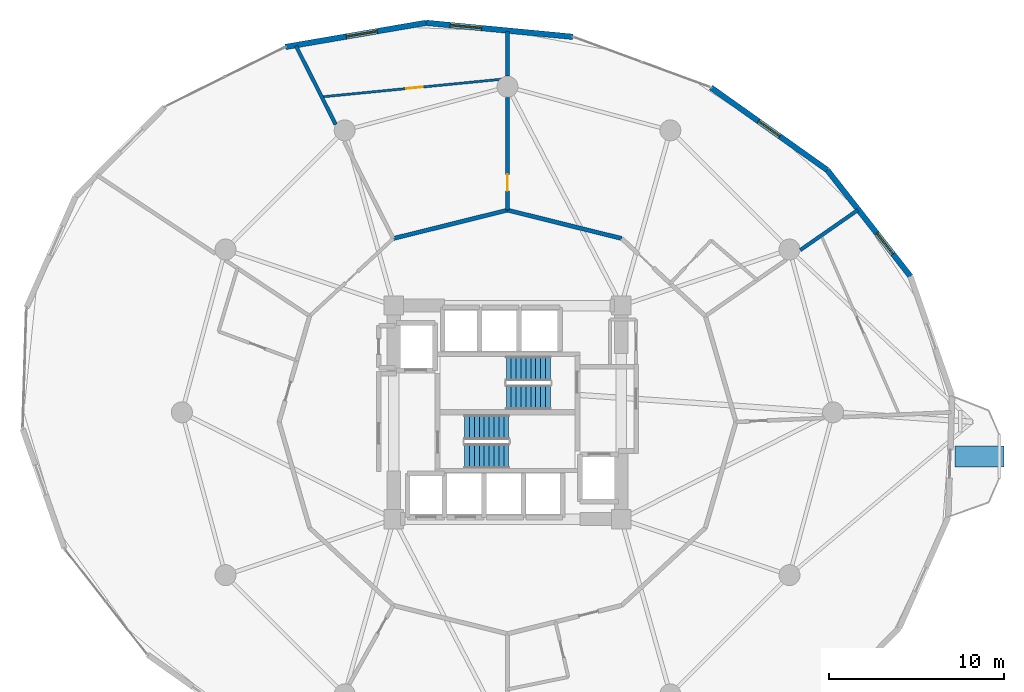
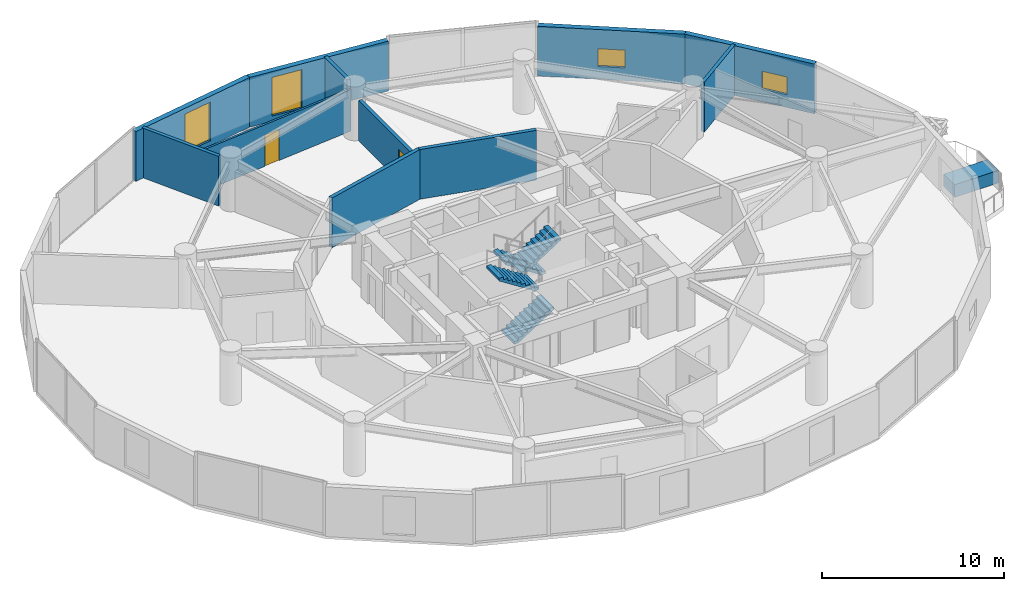
# One storey, part 19 of 22: 11 walls, 4 stair flights, 4 windows, 2 doors, 1 discrete accessory, 6 openings, 2 elements without a shape of their own.
"""IFC4 building model written with IfcOpenShell, lengths in metres."""

from ifc_helpers import new_model, si_unit, direction, frame, frame_2d, origin, origin_2d, place, context, subcontext, project, spatial, polyline, rectangle, outline, extrude, material, layer, layer_set, type_object, element, fill, aggregate, save


model = new_model("IFC4")

# Units and contexts
model_context = context("Model", 3, precision=1e-05, world=origin(), true_north=direction((0.0, 1.0)))
body_context = subcontext(model_context, "Body", "Model", "MODEL_VIEW")
ifc_project = project(units=[si_unit("LENGTHUNIT", "METRE"), si_unit("AREAUNIT", "SQUARE_METRE"), si_unit("VOLUMEUNIT", "CUBIC_METRE"), si_unit("PLANEANGLEUNIT", "RADIAN"), si_unit("MASSUNIT", "GRAM", prefix="KILO")], contexts=[model_context])

# Site, building, storey
site_placement = place(None, origin())
site = spatial("IfcSite", under=ifc_project, at=site_placement, CompositionType="ELEMENT")
building_placement = place(site_placement, origin())
building = spatial("IfcBuilding", under=site, at=building_placement, Name="Solvirekh Grand Hotel", CompositionType="ELEMENT")
storey_placement = place(building_placement, frame((0.0, 0.0, 53.60009765625)))
storey = spatial("IfcBuildingStorey", under=building, at=storey_placement, Name="L12", CompositionType="ELEMENT", Elevation=53.60009765625)

# Wall, opening, window
ifc_material_1 = material(Name="Precast concrete C45/55", Category="concrete")
ifc_layer_1 = layer(ifc_material_1, 0.320068359375)
ifc_layer_set_1 = layer_set([ifc_layer_1], Name="Precast concrete C45/55")
wall_type_1 = type_object("IfcWallType", Name="ExtLobbyWall_RC320", PredefinedType="SOLIDWALL", material=ifc_layer_set_1)
wall_1_placement = place(storey_placement, frame((18.26904296875, 13.840087890625, 0.0), z_axis=(0.0, 0.0, 1.0), x_axis=(0.616094649126, -0.787672129327, 0.0)))
wall_1 = element("IfcWall", 1, at=wall_1_placement, inside=storey, type_object=wall_type_1, Name="L12 cantilevered deck support wall chord 3", PredefinedType="SOLIDWALL", context=body_context, shape_type="SweptSolid", body=[
    extrude(rectangle(XDim=7.705078125, YDim=0.320068359375, at=frame_2d((3.8525390625, 0.0))), origin(), (0.0, 0.0, 1.0), 3.33984375),
])
opening_1_placement = place(wall_1_placement, frame((4.589111328125, 0.0, 0.85009765625)))
opening_1 = element("IfcOpeningElement", 2, at=opening_1_placement, cuts=wall_1, Name="Opening W05", PredefinedType="OPENING", context=body_context, shape_type="SweptSolid", body=[
    extrude(rectangle(XDim=1.5, YDim=1.199951171875, at=frame_2d((0.75, 0.60009765625))), frame((0.0, 0.169921875, 0.0), z_axis=(0.0, -1.0, 0.0), x_axis=(1.0, 0.0, 0.0)), (0.0, 0.0, 1.0), 0.340087890625),
])
ifc_material_2 = material(Name="Low-E Tinted Bronze Laminated Glass", Category="aluminium")
window_type_1 = type_object("IfcWindowType", Name="Win_PlantVent_1500X1200", PartitioningType="SINGLE_PANEL", PredefinedType="WINDOW", material=ifc_material_2)
window_1_placement = place(opening_1_placement, origin())
window_1 = element("IfcWindow", 3, at=window_1_placement, inside=storey, type_object=window_type_1, Name="L12 bronze-framed vision ribbon window 3", OverallHeight=1.199951171875, OverallWidth=1.5, PartitioningType="SINGLE_PANEL", PredefinedType="WINDOW", context=body_context, shape_type="SweptSolid", body=[
    extrude(rectangle(XDim=1.5, YDim=1.199951171875, at=frame_2d((0.75, 0.60009765625))), frame((0.0, 0.030029296875, 0.0), z_axis=(0.0, -1.0, 0.0), x_axis=(1.0, 0.0, 0.0)), (0.0, 0.0, 1.0), 0.06005859375),
])
fill(opening_1, window_1)

wall_2_placement = place(storey_placement, frame((11.6220703125, 18.554931640625, 0.0), z_axis=(0.0, 0.0, 1.0), x_axis=(0.815643955579, -0.578554178731, 0.0)))
wall_2 = element("IfcWall", 4, at=wall_2_placement, inside=storey, type_object=wall_type_1, Name="L12 cantilevered deck support wall chord 4", PredefinedType="SOLIDWALL", context=body_context, shape_type="SweptSolid", body=[
    extrude(rectangle(XDim=8.1494140625, YDim=0.320068359375, at=frame_2d((4.07470703125, 0.0))), origin(), (0.0, 0.0, 1.0), 3.33984375),
])
opening_2_placement = place(wall_2_placement, frame((3.324951171875, 0.0, 0.85009765625)))
opening_2 = element("IfcOpeningElement", 5, at=opening_2_placement, cuts=wall_2, Name="Opening W05", PredefinedType="OPENING", context=body_context, shape_type="SweptSolid", body=[
    extrude(rectangle(XDim=1.5, YDim=1.199951171875, at=frame_2d((0.75, 0.60009765625))), frame((0.0, 0.169921875, 0.0), z_axis=(0.0, -1.0, 0.0), x_axis=(1.0, 0.0, 0.0)), (0.0, 0.0, 1.0), 0.340087890625),
])
window_2_placement = place(opening_2_placement, origin())
window_2 = element("IfcWindow", 6, at=window_2_placement, inside=storey, type_object=window_type_1, Name="L12 bronze-framed vision ribbon window 4", OverallHeight=1.199951171875, OverallWidth=1.5, PartitioningType="SINGLE_PANEL", PredefinedType="WINDOW", context=body_context, shape_type="SweptSolid", body=[
    extrude(rectangle(XDim=1.5, YDim=1.199951171875, at=frame_2d((0.75, 0.60009765625))), frame((0.0, 0.030029296875, 0.0), z_axis=(0.0, -1.0, 0.0), x_axis=(1.0, 0.0, 0.0)), (0.0, 0.0, 1.0), 0.06005859375),
])
fill(opening_2, window_2)

wall_3_placement = place(storey_placement, frame((-4.65087890625, 22.251953125, 0.0), z_axis=(0.0, 0.0, 1.0), x_axis=(0.995479154881, -0.094980272677, 0.0)))
wall_3 = element("IfcWall", 7, at=wall_3_placement, inside=storey, type_object=wall_type_1, Name="L12 exterior structural wall chord 6", PredefinedType="SOLIDWALL", context=body_context, shape_type="SweptSolid", body=[
    extrude(rectangle(XDim=8.4130859375, YDim=0.320068359375, at=frame_2d((4.20654296875, 0.0))), origin(), (0.0, 0.0, 1.0), 3.33984375),
])
opening_3_placement = place(wall_3_placement, frame((1.387939453125, 0.0, 0.35009765625)))
opening_3 = element("IfcOpeningElement", 8, at=opening_3_placement, cuts=wall_3, Name="Opening W02", PredefinedType="OPENING", context=body_context, shape_type="SweptSolid", body=[
    extrude(rectangle(XDim=1.800048828125, YDim=2.60009765625, at=frame_2d((0.89990234375, 1.300048828125))), frame((0.0, 0.169921875, 0.0), z_axis=(0.0, -1.0, 0.0), x_axis=(1.0, 0.0, 0.0)), (0.0, 0.0, 1.0), 0.340087890625),
])
window_type_2 = type_object("IfcWindowType", Name="Win_LobbyExt_1800X2600", PartitioningType="SINGLE_PANEL", PredefinedType="WINDOW", material=ifc_material_2)
window_3_placement = place(opening_3_placement, origin())
window_3 = element("IfcWindow", 9, at=window_3_placement, inside=storey, type_object=window_type_2, Name="L12 panoramic bronze-framed window 6", OverallHeight=2.60009765625, OverallWidth=1.800048828125, PartitioningType="SINGLE_PANEL", PredefinedType="WINDOW", context=body_context, shape_type="SweptSolid", body=[
    extrude(rectangle(XDim=1.800048828125, YDim=2.60009765625, at=frame_2d((0.89990234375, 1.300048828125))), frame((0.0, 0.030029296875, 0.0), z_axis=(0.0, -1.0, 0.0), x_axis=(1.0, 0.0, 0.0)), (0.0, 0.0, 1.0), 0.06005859375),
])
fill(opening_3, window_3)

wall_4_placement = place(storey_placement, frame((-12.68310546875, 20.8720703125, 0.0), z_axis=(0.0, 0.0, 1.0), x_axis=(0.985562327857, 0.16931301754, 0.0)))
wall_4 = element("IfcWall", 10, at=wall_4_placement, inside=storey, type_object=wall_type_1, Name="L12 exterior structural wall chord 7", PredefinedType="SOLIDWALL", context=body_context, shape_type="SweptSolid", body=[
    extrude(rectangle(XDim=8.14990234375, YDim=0.320068359375, at=frame_2d((4.074951171875, 0.0))), origin(), (0.0, 0.0, 1.0), 3.33984375),
])
opening_4_placement = place(wall_4_placement, frame((3.52294921875, 0.0, 0.35009765625)))
opening_4 = element("IfcOpeningElement", 11, at=opening_4_placement, cuts=wall_4, Name="Opening W02", PredefinedType="OPENING", context=body_context, shape_type="SweptSolid", body=[
    extrude(rectangle(XDim=1.800048828125, YDim=2.60009765625, at=frame_2d((0.89990234375, 1.300048828125))), frame((0.0, 0.169921875, 0.0), z_axis=(0.0, -1.0, 0.0), x_axis=(1.0, 0.0, 0.0)), (0.0, 0.0, 1.0), 0.340087890625),
])
window_4_placement = place(opening_4_placement, origin())
window_4 = element("IfcWindow", 12, at=window_4_placement, inside=storey, type_object=window_type_2, Name="L12 panoramic bronze-framed window 7", OverallHeight=2.60009765625, OverallWidth=1.800048828125, PartitioningType="SINGLE_PANEL", PredefinedType="WINDOW", context=body_context, shape_type="SweptSolid", body=[
    extrude(rectangle(XDim=1.800048828125, YDim=2.60009765625, at=frame_2d((0.89990234375, 1.300048828125))), frame((0.0, 0.030029296875, 0.0), z_axis=(0.0, -1.0, 0.0), x_axis=(1.0, 0.0, 0.0)), (0.0, 0.0, 1.0), 0.06005859375),
])
fill(opening_4, window_4)

# Walls
ifc_material_3 = material(Name="Acoustic Gypsum Partition Assembly")
ifc_layer_2 = layer(ifc_material_3, 0.239990234375)
ifc_layer_set_2 = layer_set([ifc_layer_2], Name="Acoustic Gypsum Partition Assembly")
wall_type_2 = type_object("IfcWallType", Name="Part_Corridor_240", PredefinedType="PARTITIONING", material=ifc_layer_set_2)
for number, where, z_axis, x_axis, name in (
    (13, (6.52490234375, 9.928955078125, 0.0), (0.0, 0.0, 1.0), (-0.970496047219, 0.241117030365, 0.0), "L12 Diplomatic Suite 1403 Living Room corridor wall 1"),
    (14, (0.0, 11.550048828125, 0.0), (0.0, 0.0, 1.0), (-0.970496047219, -0.241117030365, 0.0), "L12 Diplomatic Suite 1403 Suite Foyer corridor enclosure wall"),
):
    element("IfcWall", number, at=place(storey_placement, frame(where, z_axis=z_axis, x_axis=x_axis)), inside=storey, type_object=wall_type_2, Name=name, PredefinedType="PARTITIONING", context=body_context, shape_type="SweptSolid", body=[
        extrude(rectangle(XDim=6.72314453125, YDim=0.239990234375, at=frame_2d((3.361572265625, 0.0))), origin(), (0.0, 0.0, 1.0), 3.33984375),
    ])

# Wall, opening, door
ifc_layer_3 = layer(ifc_material_3, 0.135009765625)
ifc_layer_set_3 = layer_set([ifc_layer_3], Name="Acoustic Gypsum Partition Assembly")
wall_type_3 = type_object("IfcWallType", Name="Part_RoomInt_135", PredefinedType="PARTITIONING", material=ifc_layer_set_3)
wall_5_placement = place(storey_placement, frame((0.0, 19.06005859375, 0.0), z_axis=(0.0, 0.0, 1.0), x_axis=(-0.995224645092, -0.097610992218, 0.0)))
wall_5 = element("IfcWall", 15, at=wall_5_placement, inside=storey, type_object=wall_type_3, Name="L12 Diplomatic Suite 1403 Suite Foyer bedroom screen wall", PredefinedType="PARTITIONING", context=body_context, shape_type="SweptSolid", body=[
    extrude(rectangle(XDim=10.6650390625, YDim=0.135009765625, at=frame_2d((5.33251953125, 0.0))), origin(), (0.0, 0.0, 1.0), 2.7919921875),
])
opening_5_placement = place(wall_5_placement, frame((4.85693359375, 0.0, 0.0)))
opening_5 = element("IfcOpeningElement", 16, at=opening_5_placement, cuts=wall_5, Name="Opening D10", PredefinedType="OPENING", context=body_context, shape_type="SweptSolid", body=[
    extrude(rectangle(XDim=0.949951171875, YDim=2.10009765625, at=frame_2d((0.47509765625, 1.050048828125))), frame((0.0, 0.07763671875, 0.0), z_axis=(0.0, -1.0, 0.0), x_axis=(1.0, 0.0, 0.0)), (0.0, 0.0, 1.0), 0.155029296875),
])
ifc_material_4 = material(Name="Anodized Bronze Aluminium 6063-T6", Category="aluminium")
door_type = type_object("IfcDoorType", Name="Door_RoomInt_950X2100", OperationType="NOTDEFINED", PredefinedType="DOOR", material=ifc_material_4)
door_1_placement = place(opening_5_placement, origin())
door_1 = element("IfcDoor", 17, at=door_1_placement, inside=storey, type_object=door_type, Name="L12 Diplomatic Suite 1403 Suite Foyer master bedroom door", OperationType="SINGLE_SWING_RIGHT", OverallHeight=2.10009765625, OverallWidth=0.949951171875, PredefinedType="DOOR", context=body_context, shape_type="SweptSolid", body=[
    extrude(rectangle(XDim=0.949951171875, YDim=2.10009765625, at=frame_2d((0.47509765625, 1.050048828125))), frame((0.0, 0.02490234375, 0.0), z_axis=(0.0, -1.0, 0.0), x_axis=(1.0, 0.0, 0.0)), (0.0, 0.0, 1.0), 0.050048828125),
])
fill(opening_5, door_1)

# Wall
ifc_layer_4 = layer(ifc_material_3, 0.2099609375)
ifc_layer_set_4 = layer_set([ifc_layer_4], Name="Acoustic Gypsum Partition Assembly")
wall_type_4 = type_object("IfcWallType", Name="Part_SuiteDemise_210", PredefinedType="PARTITIONING", material=ifc_layer_set_4)
wall_6_placement = place(storey_placement, frame((16.72705078125, 9.27099609375, 0.0), z_axis=(0.0, 0.0, 1.0), x_axis=(0.821073278348, 0.570822802262, 0.0)))
element("IfcWall", 18, at=wall_6_placement, inside=storey, type_object=wall_type_4, Name="L12 suite radial wall 2 (B)", PredefinedType="PARTITIONING", context=body_context, shape_type="SweptSolid", body=[
    extrude(rectangle(XDim=3.99609375, YDim=0.2099609375, at=frame_2d((1.998046875, 0.0))), origin(), (0.0, 0.0, 1.0), 3.33984375),
])

# Wall, opening, door
wall_7_placement = place(storey_placement, frame((0.0, 11.550048828125, 0.0), z_axis=(0.0, 0.0, 1.0), x_axis=(0.0, 1.0, 0.0)))
wall_7 = element("IfcWall", 19, at=wall_7_placement, inside=storey, type_object=wall_type_4, Name="L12 suite radial wall 4 (A)", PredefinedType="PARTITIONING", context=body_context, shape_type="SweptSolid", body=[
    extrude(rectangle(XDim=6.429931640625, YDim=0.2099609375, at=frame_2d((3.21484375, 0.0))), origin(), (0.0, 0.0, 1.0), 2.708984375),
])
opening_6_placement = place(wall_7_placement, frame((1.095947265625, 0.0, 0.0)))
opening_6 = element("IfcOpeningElement", 20, at=opening_6_placement, cuts=wall_7, Name="Opening D10", PredefinedType="OPENING", context=body_context, shape_type="SweptSolid", body=[
    extrude(rectangle(XDim=0.949951171875, YDim=2.10009765625, at=frame_2d((0.47509765625, 1.050048828125))), frame((0.0, 0.114990234375, 0.0), z_axis=(0.0, -1.0, 0.0), x_axis=(1.0, 0.0, 0.0)), (0.0, 0.0, 1.0), 0.22998046875),
])
door_2_placement = place(opening_6_placement, origin())
door_2 = element("IfcDoor", 21, at=door_2_placement, inside=storey, type_object=door_type, Name="L12 Diplomatic Suite 1403 Suite Foyer suite connecting door", OperationType="SINGLE_SWING_LEFT", OverallHeight=2.10009765625, OverallWidth=0.949951171875, PredefinedType="DOOR", context=body_context, shape_type="SweptSolid", body=[
    extrude(rectangle(XDim=0.949951171875, YDim=2.10009765625, at=frame_2d((0.47509765625, 1.050048828125))), frame((0.0, 0.02490234375, 0.0), z_axis=(0.0, -1.0, 0.0), x_axis=(1.0, 0.0, 0.0)), (0.0, 0.0, 1.0), 0.050048828125),
])
fill(opening_6, door_2)

# Walls
wall_8_placement = place(storey_placement, frame((0.0, 19.219970703125, 0.0), z_axis=(0.0, 0.0, 1.0), x_axis=(0.0, 1.0, 0.0)))
element("IfcWall", 22, at=wall_8_placement, inside=storey, type_object=wall_type_4, Name="L12 suite radial wall 4 (B)", PredefinedType="PARTITIONING", context=body_context, shape_type="SweptSolid", body=[
    extrude(rectangle(XDim=2.548095703125, YDim=0.2099609375, at=frame_2d((1.27392578125, 0.0))), origin(), (0.0, 0.0, 1.0), 3.33984375),
])
wall_9_placement = place(storey_placement, frame((-9.819091796875, 16.447021484375, 0.0), z_axis=(0.0, 0.0, 1.0), x_axis=(-0.451073129045, 0.892486992764, 0.0)))
element("IfcWall", 23, at=wall_9_placement, inside=storey, type_object=wall_type_4, Name="L12 suite radial wall 5 (B)", PredefinedType="PARTITIONING", context=body_context, shape_type="SweptSolid", body=[
    extrude(rectangle(XDim=5.02978515625, YDim=0.2099609375, at=frame_2d((2.514892578125, 0.0))), origin(), (0.0, 0.0, 1.0), 3.33984375),
])

# Stair, stair flights
ifc_material_5 = material(Name="Concrete C40/50", Category="concrete")
stair_type = type_object("IfcStairType", Name="Stair_Core_1450", PredefinedType="HALF_TURN_STAIR", material=ifc_material_5)
stair_1_placement = place(storey_placement, origin())
stair_1 = element("IfcStair", 24, at=stair_1_placement, inside=storey, type_object=stair_type, Name="L12 Enclosed exit stair ST-1", PredefinedType="HALF_TURN_STAIR")
stair_flight_type = type_object("IfcStairFlightType", Name="Flight_Core_1450", PredefinedType="STRAIGHT", material=ifc_material_5)
stair_flight_1_placement = place(storey_placement, frame((-2.449951171875, -2.5, 0.0), z_axis=(0.0, 0.0, 1.0), x_axis=(1.0, 0.0, 0.0)))
stair_flight_1 = element("IfcStairFlight", 25, at=stair_flight_1_placement, type_object=stair_flight_type, Name="ST-1 flight 1", NumberOfRisers=10, NumberOfTreads=9, PredefinedType="STRAIGHT", RiserHeight=0.18, TreadLength=0.28, context=body_context, shape_type="SweptSolid", body=[
    extrude(outline(polyline([(0.0, 0.0), (0.0, 0.179931640625), (0.280029296875, 0.179931640625), (0.280029296875, 0.360107421875), (0.56005859375, 0.360107421875), (0.56005859375, 0.5400390625), (0.840087890625, 0.5400390625), (0.840087890625, 0.719970703125), (1.1201171875, 0.719970703125), (1.1201171875, 0.89990234375), (1.39990234375, 0.89990234375), (1.39990234375, 1.080078125), (1.679931640625, 1.080078125), (1.679931640625, 1.260009765625), (1.9599609375, 1.260009765625), (1.9599609375, 1.43994140625), (2.239990234375, 1.43994140625), (2.239990234375, 1.6201171875), (2.52001953125, 1.6201171875), (2.52001953125, 1.800048828125), (2.52001953125, 1.44189453125), (0.277099609375, 0.0), (0.0, 0.0)])), frame((0.0, 0.699951171875, 0.0), z_axis=(0.0, -1.0, 0.0), x_axis=(1.0, 0.0, 0.0)), (0.0, 0.0, 1.0), 1.39990234375),
])
stair_flight_2_placement = place(storey_placement, frame((0.070068359375, -0.85009765625, 1.7998046875), z_axis=(0.0, 0.0, 1.0), x_axis=(-1.0, 0.0, 0.0)))
stair_flight_2 = element("IfcStairFlight", 26, at=stair_flight_2_placement, type_object=stair_flight_type, Name="ST-1 flight 2", NumberOfRisers=10, NumberOfTreads=9, PredefinedType="STRAIGHT", RiserHeight=0.18, TreadLength=0.28, context=body_context, shape_type="SweptSolid", body=[
    extrude(outline(polyline([(0.0, 0.0), (0.0, 0.179931640625), (0.280029296875, 0.179931640625), (0.280029296875, 0.360107421875), (0.56005859375, 0.360107421875), (0.56005859375, 0.5400390625), (0.840087890625, 0.5400390625), (0.840087890625, 0.719970703125), (1.1201171875, 0.719970703125), (1.1201171875, 0.89990234375), (1.39990234375, 0.89990234375), (1.39990234375, 1.080078125), (1.679931640625, 1.080078125), (1.679931640625, 1.260009765625), (1.9599609375, 1.260009765625), (1.9599609375, 1.43994140625), (2.239990234375, 1.43994140625), (2.239990234375, 1.6201171875), (2.52001953125, 1.6201171875), (2.52001953125, 1.800048828125), (2.52001953125, 1.44189453125), (0.277099609375, 0.0), (0.0, 0.0)])), frame((0.0, 0.699951171875, 0.0), z_axis=(0.0, -1.0, 0.0), x_axis=(1.0, 0.0, 0.0)), (0.0, 0.0, 1.0), 1.39990234375),
])
aggregate(stair_1, [stair_flight_1, stair_flight_2])

stair_2_placement = place(storey_placement, origin())
stair_2 = element("IfcStair", 27, at=stair_2_placement, inside=storey, type_object=stair_type, Name="L12 Enclosed exit stair ST-2", PredefinedType="HALF_TURN_STAIR")
stair_flight_3_placement = place(storey_placement, frame((2.449951171875, 2.5, 0.0), z_axis=(0.0, 0.0, 1.0), x_axis=(-1.0, 0.0, 0.0)))
stair_flight_3 = element("IfcStairFlight", 28, at=stair_flight_3_placement, type_object=stair_flight_type, Name="ST-2 flight 1", NumberOfRisers=10, NumberOfTreads=9, PredefinedType="STRAIGHT", RiserHeight=0.18, TreadLength=0.28, context=body_context, shape_type="SweptSolid", body=[
    extrude(outline(polyline([(0.0, 0.0), (0.0, 0.179931640625), (0.280029296875, 0.179931640625), (0.280029296875, 0.360107421875), (0.56005859375, 0.360107421875), (0.56005859375, 0.5400390625), (0.840087890625, 0.5400390625), (0.840087890625, 0.719970703125), (1.1201171875, 0.719970703125), (1.1201171875, 0.89990234375), (1.39990234375, 0.89990234375), (1.39990234375, 1.080078125), (1.679931640625, 1.080078125), (1.679931640625, 1.260009765625), (1.9599609375, 1.260009765625), (1.9599609375, 1.43994140625), (2.239990234375, 1.43994140625), (2.239990234375, 1.6201171875), (2.52001953125, 1.6201171875), (2.52001953125, 1.800048828125), (2.52001953125, 1.44189453125), (0.277099609375, 0.0), (0.0, 0.0)])), frame((0.0, 0.699951171875, 0.0), z_axis=(0.0, -1.0, 0.0), x_axis=(1.0, 0.0, 0.0)), (0.0, 0.0, 1.0), 1.39990234375),
])
stair_flight_4_placement = place(storey_placement, frame((-0.070068359375, 0.85009765625, 1.7998046875), z_axis=(0.0, 0.0, 1.0), x_axis=(1.0, 0.0, 0.0)))
stair_flight_4 = element("IfcStairFlight", 29, at=stair_flight_4_placement, type_object=stair_flight_type, Name="ST-2 flight 2", NumberOfRisers=10, NumberOfTreads=9, PredefinedType="STRAIGHT", RiserHeight=0.18, TreadLength=0.28, context=body_context, shape_type="SweptSolid", body=[
    extrude(outline(polyline([(0.0, 0.0), (0.0, 0.179931640625), (0.280029296875, 0.179931640625), (0.280029296875, 0.360107421875), (0.56005859375, 0.360107421875), (0.56005859375, 0.5400390625), (0.840087890625, 0.5400390625), (0.840087890625, 0.719970703125), (1.1201171875, 0.719970703125), (1.1201171875, 0.89990234375), (1.39990234375, 0.89990234375), (1.39990234375, 1.080078125), (1.679931640625, 1.080078125), (1.679931640625, 1.260009765625), (1.9599609375, 1.260009765625), (1.9599609375, 1.43994140625), (2.239990234375, 1.43994140625), (2.239990234375, 1.6201171875), (2.52001953125, 1.6201171875), (2.52001953125, 1.800048828125), (2.52001953125, 1.44189453125), (0.277099609375, 0.0), (0.0, 0.0)])), frame((0.0, 0.699951171875, 0.0), z_axis=(0.0, -1.0, 0.0), x_axis=(1.0, 0.0, 0.0)), (0.0, 0.0, 1.0), 1.39990234375),
])
aggregate(stair_2, [stair_flight_3, stair_flight_4])

# Discrete accessory
discrete_accessory_type = type_object("IfcDiscreteAccessoryType", Name="Acc_PlanterBox", PredefinedType="USERDEFINED", material=ifc_material_1)
discrete_accessory_placement = place(storey_placement, frame((26.9609375, -2.52099609375, -0.000244140625), z_axis=(0.0, 0.0, 1.0), x_axis=(0.0, 1.0, 0.0)))
element("IfcDiscreteAccessory", 30, at=discrete_accessory_placement, inside=storey, type_object=discrete_accessory_type, Name="L12 horn sky-garden tree planter", ObjectType="PLANTER", PredefinedType="USERDEFINED", context=body_context, shape_type="SweptSolid", body=[
    extrude(rectangle(XDim=1.199951171875, YDim=2.800048828125, at=origin_2d()), origin(), (0.0, 0.0, 1.0), 0.85009765625),
])

save(model, "model.ifc")
